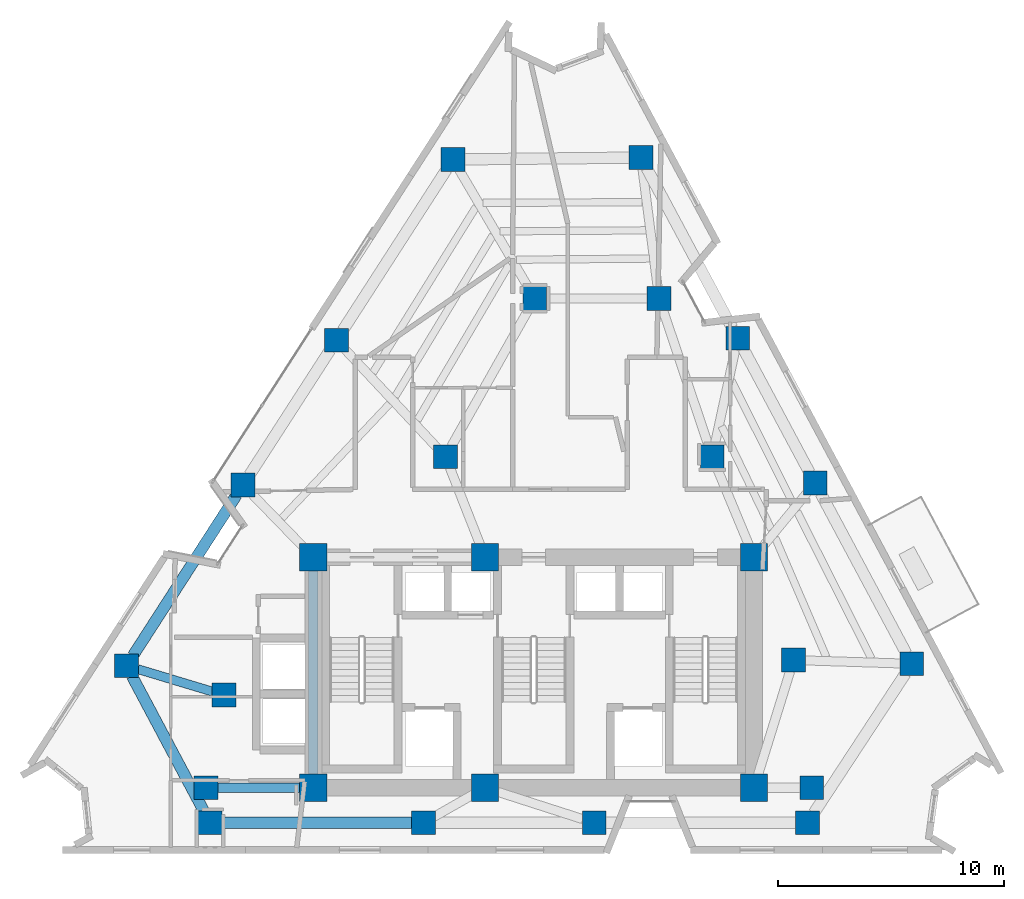
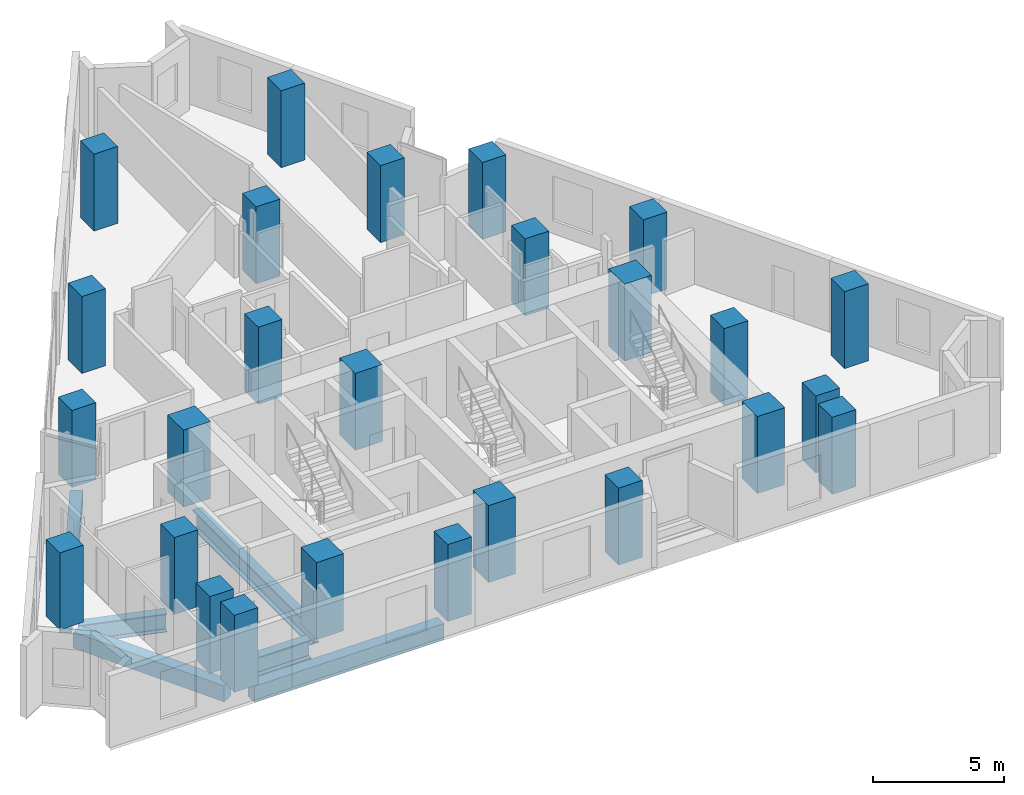
# One storey, part 1 of 11: 26 columns, 6 beams.
"""IFC4 building model written with IfcOpenShell, lengths in metres."""

from ifc_helpers import new_model, si_unit, direction, frame, origin, origin_2d, place, context, subcontext, project, spatial, rectangle, i_section, extrude, material, material_profile, profile_set, type_object, element, save


model = new_model("IFC4")

# Units and contexts
model_context = context("Model", 3, precision=1e-05, world=origin(), true_north=direction((0.0, 1.0)))
body_context = subcontext(model_context, "Body", "Model", "MODEL_VIEW")
ifc_project = project(units=[si_unit("LENGTHUNIT", "METRE"), si_unit("AREAUNIT", "SQUARE_METRE"), si_unit("VOLUMEUNIT", "CUBIC_METRE"), si_unit("PLANEANGLEUNIT", "RADIAN"), si_unit("MASSUNIT", "GRAM", prefix="KILO")], contexts=[model_context])

# Site, building, storey
site_placement = place(None, origin())
site = spatial("IfcSite", under=ifc_project, at=site_placement, CompositionType="ELEMENT")
building_placement = place(site_placement, origin())
building = spatial("IfcBuilding", under=site, at=building_placement, Name="Almagre Mirador Tower", CompositionType="ELEMENT")
storey_placement = place(building_placement, frame((0.0, 0.0, 189.60009765625)))
storey = spatial("IfcBuildingStorey", under=building, at=storey_placement, Name="L49", CompositionType="ELEMENT", Elevation=189.60009765625)

# Columns
ifc_material_1 = material(Name="Concrete C60/75", Category="concrete")
ifc_material_profile_1 = material_profile(ifc_material_1, rectangle(XDim=1.050048828125, YDim=1.050048828125, at=origin_2d()), Name="RC1050X1050")
ifc_profile_set_1 = profile_set([ifc_material_profile_1], Name="Concrete C60/75")
column_type_1 = type_object("IfcColumnType", Name="COL-RC1050", PredefinedType="COLUMN", material=ifc_profile_set_1)
for number, where, z_axis, x_axis, name in (
    (1, (22.800048828125, 4.550048828125, 0.0), (0.0, 0.0, 1.0), (1.0, 0.0, 0.0), "L49 interior transfer column MC1"),
    (2, (49.60009765625, 4.550048828125, 0.0), (0.0, 0.0, 1.0), (1.0, 0.0, 0.0), "L49 interior transfer column MC2"),
    (3, (48.800048828125, 10.199951171875, 0.0), (0.0, 0.0, 1.0), (1.0, 0.0, 0.0), "L49 interior transfer column MC3"),
    (4, (45.199951171875, 19.199951171875, 0.0), (0.0, 0.0, 1.0), (1.0, 0.0, 0.0), "L49 interior transfer column MC5"),
    (5, (42.85009765625, 26.199951171875, 0.0), (0.0, 0.0, 1.0), (1.0, 0.0, 0.0), "L49 interior transfer column MC6"),
    (6, (37.35009765625, 26.199951171875, 0.0), (0.0, 0.0, 1.0), (1.0, 0.0, 0.0), "L49 interior transfer column MC7"),
    (7, (33.39990234375, 19.199951171875, 0.0), (0.0, 0.0, 1.0), (1.0, 0.0, 0.0), "L49 interior transfer column MC8"),
    (8, (23.60009765625, 8.64990234375, 0.0), (0.0, 0.0, 1.0), (1.0, 0.0, 0.0), "L49 interior transfer column MC10"),
    (9, (22.98388671875, 3.0, 0.0), (0.0, 0.0, 1.0), (1.0, 0.0, 0.0), "L49 perimeter column PC01"),
    (10, (32.424072265625, 3.0, 0.0), (0.0, 0.0, 1.0), (1.0, 0.0, 0.0), "L49 perimeter column PC02"),
    (11, (39.97607421875, 3.0, 0.0), (0.0, 0.0, 1.0), (1.0, 0.0, 0.0), "L49 perimeter column PC03"),
    (12, (49.416015625, 3.0, 0.0), (0.0, 0.0, 1.0), (1.0, 0.0, 0.0), "L49 perimeter column PC04"),
    (13, (54.033935546875, 10.033935546875, 0.0), (0.0, 0.0, 1.0), (1.0, 0.0, 0.0), "L49 perimeter column PC05"),
    (14, (49.75390625, 18.033935546875, 0.0), (0.0, 0.0, 1.0), (1.0, 0.0, 0.0), "L49 perimeter column PC06"),
    (15, (46.330078125, 24.43408203125, 0.0), (0.0, 0.0, 1.0), (1.0, 0.0, 0.0), "L49 perimeter column PC07"),
    (16, (42.050048828125, 32.43408203125, 0.0), (0.0, 0.0, 1.0), (1.0, 0.0, 0.0), "L49 perimeter column PC08"),
    (17, (33.73193359375, 32.35009765625, 0.0), (0.0, 0.0, 1.0), (1.0, 0.0, 0.0), "L49 perimeter column PC09"),
    (18, (28.572021484375, 24.35009765625, 0.0), (0.0, 0.0, 1.0), (1.0, 0.0, 0.0), "L49 perimeter column PC10"),
    (19, (24.444091796875, 17.949951171875, 0.0), (0.0, 0.0, 1.0), (1.0, 0.0, 0.0), "L49 perimeter column PC11"),
    (20, (19.283935546875, 9.949951171875, 0.0), (0.0, 0.0, 1.0), (1.0, 0.0, 0.0), "L49 perimeter column PC12"),
):
    element("IfcColumn", number, at=place(storey_placement, frame(where, z_axis=z_axis, x_axis=x_axis)), inside=storey, type_object=column_type_1, Name=name, PredefinedType="COLUMN", context=body_context, shape_type="SweptSolid", body=[
        extrude(rectangle(XDim=1.050048828125, YDim=1.050048828125, at=origin_2d()), origin(), (0.0, 0.0, 1.0), 3.599853515625),
    ])
ifc_material_2 = material(Name="Concrete C60/75", Category="concrete")
ifc_material_profile_2 = material_profile(ifc_material_2, rectangle(XDim=1.199951171875, YDim=1.199951171875, at=origin_2d()), Name="RC1200X1200")
ifc_profile_set_2 = profile_set([ifc_material_profile_2], Name="Concrete C60/75")
column_type_2 = type_object("IfcColumnType", Name="COL-RC1200", PredefinedType="COLUMN", material=ifc_profile_set_2)
for number, where, z_axis, x_axis, name in (
    (21, (27.550048828125, 4.550048828125, 0.0), (0.0, 0.0, 1.0), (1.0, 0.0, 0.0), "L49 core spine column CC1"),
    (22, (35.14990234375, 4.550048828125, 0.0), (0.0, 0.0, 1.0), (1.0, 0.0, 0.0), "L49 core spine column CC2"),
    (23, (47.050048828125, 4.550048828125, 0.0), (0.0, 0.0, 1.0), (1.0, 0.0, 0.0), "L49 core spine column CC3"),
    (24, (27.550048828125, 14.75, 0.0), (0.0, 0.0, 1.0), (1.0, 0.0, 0.0), "L49 core spine column CC4"),
    (25, (35.14990234375, 14.75, 0.0), (0.0, 0.0, 1.0), (1.0, 0.0, 0.0), "L49 core spine column CC5"),
    (26, (47.050048828125, 14.75, 0.0), (0.0, 0.0, 1.0), (1.0, 0.0, 0.0), "L49 core spine column CC6"),
):
    element("IfcColumn", number, at=place(storey_placement, frame(where, z_axis=z_axis, x_axis=x_axis)), inside=storey, type_object=column_type_2, Name=name, PredefinedType="COLUMN", context=body_context, shape_type="SweptSolid", body=[
        extrude(rectangle(XDim=1.199951171875, YDim=1.199951171875, at=origin_2d()), origin(), (0.0, 0.0, 1.0), 3.599853515625),
    ])

# Beams
ifc_material_3 = material(Name="Precast concrete C50/60", Category="concrete")
ifc_material_profile_3 = material_profile(ifc_material_3, rectangle(XDim=0.5, YDim=0.75, at=origin_2d()), Name="RC500X750")
ifc_profile_set_3 = profile_set([ifc_material_profile_3], Name="Precast concrete C50/60")
beam_type_1 = type_object("IfcBeamType", Name="BM-SPN-RC500X750", PredefinedType="SPANDREL", material=ifc_profile_set_3)
beam_1_placement = place(storey_placement, frame((23.509033203125, 3.0, -0.625), z_axis=(1.0, 0.0, 0.0), x_axis=(0.0, 1.0, 0.0)))
element("IfcBeam", 27, at=beam_1_placement, inside=storey, type_object=beam_type_1, Name="L49 perimeter spandrel beam PC01-PC02", PredefinedType="SPANDREL", context=body_context, shape_type="SweptSolid", body=[
    extrude(rectangle(XDim=0.5, YDim=0.75, at=origin_2d()), origin(), (0.0, 0.0, 1.0), 8.389892578125),
])
beam_2_placement = place(storey_placement, frame((24.159423828125, 17.5087890625, -0.625), z_axis=(-0.542024442959, -0.840362721231, 0.0), x_axis=(0.840362721231, -0.542024442959, 0.0)))
element("IfcBeam", 28, at=beam_2_placement, inside=storey, type_object=beam_type_1, Name="L49 perimeter spandrel beam PC11-PC12", PredefinedType="SPANDREL", context=body_context, shape_type="SweptSolid", body=[
    extrude(rectangle(XDim=0.5, YDim=0.75, at=origin_2d()), origin(), (0.0, 0.0, 1.0), 8.4697265625),
])
beam_3_placement = place(storey_placement, frame((19.53076171875, 9.486572265625, -0.625), z_axis=(0.469923278173, -0.882707263271, 0.0), x_axis=(0.882707263271, 0.469923278173, 0.0)))
element("IfcBeam", 29, at=beam_3_placement, inside=storey, type_object=beam_type_1, Name="L49 perimeter spandrel beam PC12-PC01", PredefinedType="SPANDREL", context=body_context, shape_type="SweptSolid", body=[
    extrude(rectangle(XDim=0.5, YDim=0.75, at=origin_2d()), origin(), (0.0, 0.0, 1.0), 6.823486328125),
])
ifc_material_4 = material(Name="Steel ASTM A992 Grade 50", Category="steel")
ifc_material_profile_4 = material_profile(ifc_material_4, i_section(OverallWidth=0.39892578125, OverallDepth=0.85595703125, WebThickness=0.018310546875, FlangeThickness=0.029296875, FilletRadius=0.02490234375, at=origin_2d()), Name="W33X201")
ifc_profile_set_4 = profile_set([ifc_material_profile_4], Name="Steel ASTM A992 Grade 50")
beam_type_2 = type_object("IfcBeamType", Name="BM-STL-W33X201", PredefinedType="BEAM", material=ifc_profile_set_4)
beam_4_placement = place(storey_placement, frame((19.78662109375, 9.798583984375, -0.677978515625), z_axis=(0.957520639222, -0.288364743794, 0.0), x_axis=(0.288364743794, 0.957520639222, 0.0)))
element("IfcBeam", 30, at=beam_4_placement, inside=storey, type_object=beam_type_2, Name="L49 radial floor girder PC12-MC10", PredefinedType="BEAM", context=body_context, shape_type="SweptSolid", body=[
    extrude(i_section(OverallWidth=0.39892578125, OverallDepth=0.85595703125, WebThickness=0.018310546875, FlangeThickness=0.029296875, FilletRadius=0.02490234375, at=origin_2d()), origin(), (0.0, 0.0, 1.0), 3.457763671875),
])
ifc_material_5 = material(Name="Steel ASTM A992 Grade 50", Category="steel")
ifc_material_profile_5 = material_profile(ifc_material_5, i_section(OverallWidth=0.404052734375, OverallDepth=0.884033203125, WebThickness=0.0244140625, FlangeThickness=0.0439453125, FilletRadius=0.02490234375, at=origin_2d()), Name="W33X291")
ifc_profile_set_5 = profile_set([ifc_material_profile_5], Name="Steel ASTM A992 Grade 50")
beam_type_3 = type_object("IfcBeamType", Name="BM-STL-W33X291", PredefinedType="BEAM", material=ifc_profile_set_5)
beam_5_placement = place(storey_placement, frame((27.550048828125, 5.14990234375, -0.692138671875), z_axis=(0.0, 1.0, 0.0), x_axis=(-1.0, 0.0, 0.0)))
element("IfcBeam", 31, at=beam_5_placement, inside=storey, type_object=beam_type_3, Name="L49 core tie girder CC1-CC4", PredefinedType="BEAM", context=body_context, shape_type="SweptSolid", body=[
    extrude(i_section(OverallWidth=0.404052734375, OverallDepth=0.884033203125, WebThickness=0.0244140625, FlangeThickness=0.0439453125, FilletRadius=0.02490234375, at=origin_2d()), origin(), (0.0, 0.0, 1.0), 9.0),
])
beam_6_placement = place(storey_placement, frame((23.324951171875, 4.550048828125, -0.692138671875), z_axis=(1.0, 0.0, 0.0), x_axis=(0.0, 1.0, 0.0)))
element("IfcBeam", 32, at=beam_6_placement, inside=storey, type_object=beam_type_3, Name="L49 core tie girder MC1-CC1", PredefinedType="BEAM", context=body_context, shape_type="SweptSolid", body=[
    extrude(i_section(OverallWidth=0.404052734375, OverallDepth=0.884033203125, WebThickness=0.0244140625, FlangeThickness=0.0439453125, FilletRadius=0.02490234375, at=origin_2d()), origin(), (0.0, 0.0, 1.0), 3.625),
])

save(model, "model.ifc")
